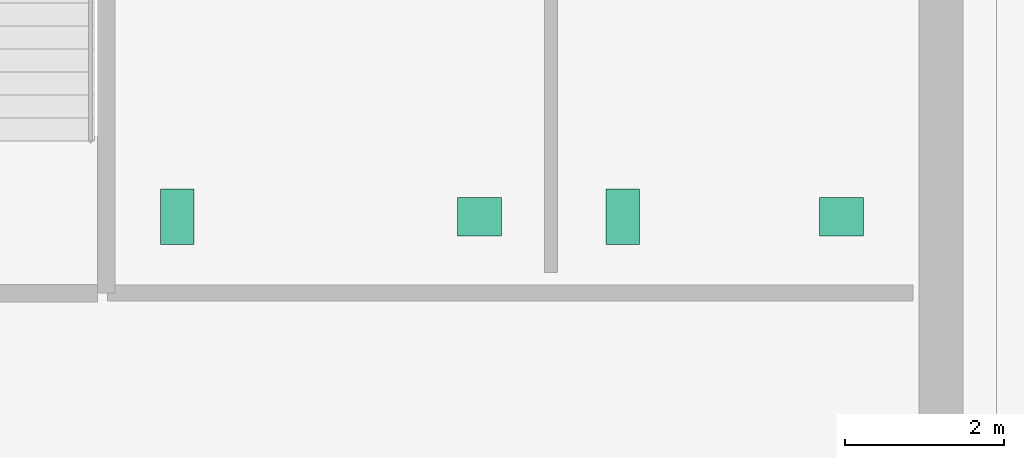
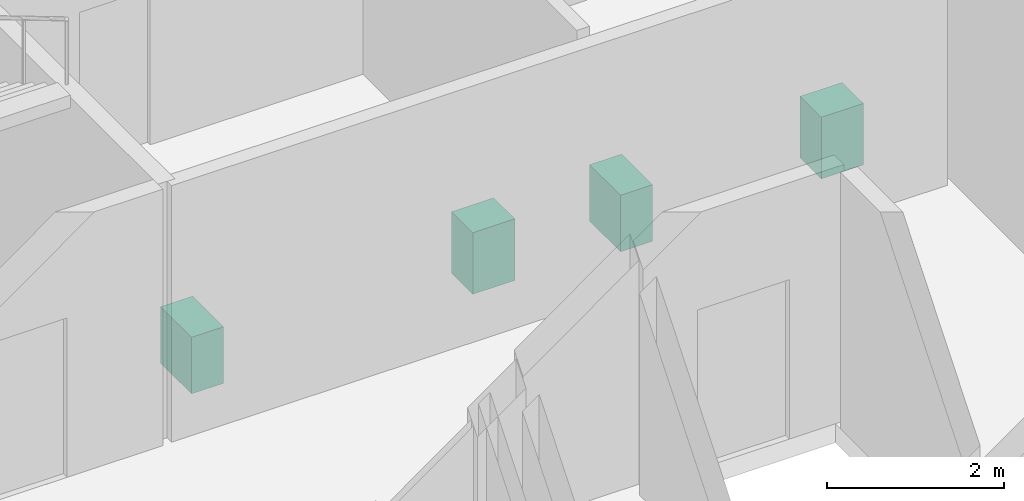
# One storey, part 11 of 11: 4 sanitary terminals.
"""IFC4 building model written with IfcOpenShell, lengths in metres."""

from ifc_helpers import new_model, si_unit, direction, frame, origin, origin_2d, place, context, subcontext, project, spatial, rectangle, extrude, material, type_object, element, save


model = new_model("IFC4")

# Units and contexts
model_context = context("Model", 3, precision=1e-05, world=origin(), true_north=direction((0.0, 1.0)))
body_context = subcontext(model_context, "Body", "Model", "MODEL_VIEW")
ifc_project = project(units=[si_unit("LENGTHUNIT", "METRE"), si_unit("AREAUNIT", "SQUARE_METRE"), si_unit("VOLUMEUNIT", "CUBIC_METRE"), si_unit("PLANEANGLEUNIT", "RADIAN"), si_unit("MASSUNIT", "GRAM", prefix="KILO")], contexts=[model_context])

# Site, building, storey
site_placement = place(None, origin())
site = spatial("IfcSite", under=ifc_project, at=site_placement, CompositionType="ELEMENT")
building_placement = place(site_placement, origin())
building = spatial("IfcBuilding", under=site, at=building_placement, Name="Norrvale University Quadrangle", CompositionType="ELEMENT")
storey_placement = place(building_placement, frame((0.0, 0.0, 248.39990234375)))
storey = spatial("IfcBuildingStorey", under=building, at=storey_placement, Name="L63", CompositionType="ELEMENT", Elevation=248.39990234375)

# Sanitary terminals
ifc_material = material(Name="Vitreous China Sanitaryware")
sanitary_terminal_type_1 = type_object("IfcSanitaryTerminalType", Name="Sanitary Wash Basin", PredefinedType="WASHHANDBASIN", material=ifc_material)
for number, where, z_axis, x_axis, name in (
    (1, (11.0, 41.10009765625, 0.0), (0.0, 0.0, 1.0), (1.0, 0.0, 0.0), "Accessible Countertop Washbasin L63-1"),
    (2, (15.550048828125, 41.10009765625, 0.0), (0.0, 0.0, 1.0), (1.0, 0.0, 0.0), "Accessible Countertop Washbasin L63-2"),
):
    element("IfcSanitaryTerminal", number, at=place(storey_placement, frame(where, z_axis=z_axis, x_axis=x_axis)), inside=storey, type_object=sanitary_terminal_type_1, Name=name, PredefinedType="WASHHANDBASIN", context=body_context, shape_type="SweptSolid", body=[
        extrude(rectangle(XDim=0.550048828125, YDim=0.47998046875, at=origin_2d()), origin(), (0.0, 0.0, 1.0), 0.85009765625),
    ])
sanitary_terminal_type_2 = type_object("IfcSanitaryTerminalType", Name="Sanitary Water Closet", PredefinedType="TOILETPAN", material=ifc_material)
for number, where, z_axis, x_axis, name in (
    (3, (7.199951171875, 41.10009765625, 0.0), (0.0, 0.0, 1.0), (1.0, 0.0, 0.0), "Wall-Hung Water Closet L63-1"),
    (4, (12.800048828125, 41.10009765625, 0.0), (0.0, 0.0, 1.0), (1.0, 0.0, 0.0), "Wall-Hung Water Closet L63-2"),
):
    element("IfcSanitaryTerminal", number, at=place(storey_placement, frame(where, z_axis=z_axis, x_axis=x_axis)), inside=storey, type_object=sanitary_terminal_type_2, Name=name, PredefinedType="TOILETPAN", context=body_context, shape_type="SweptSolid", body=[
        extrude(rectangle(XDim=0.419921875, YDim=0.699951171875, at=origin_2d()), origin(), (0.0, 0.0, 1.0), 0.780029296875),
    ])

save(model, "model.ifc")
